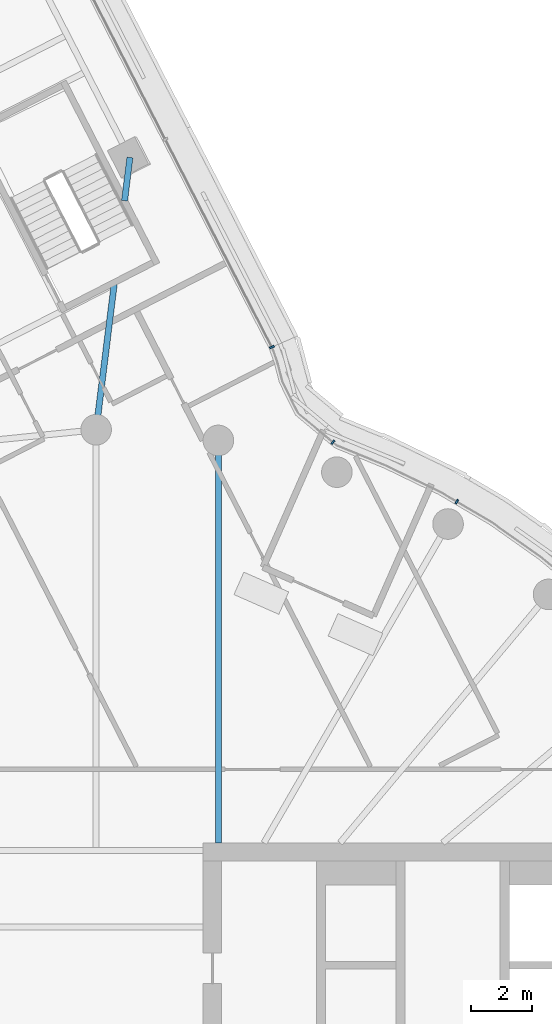
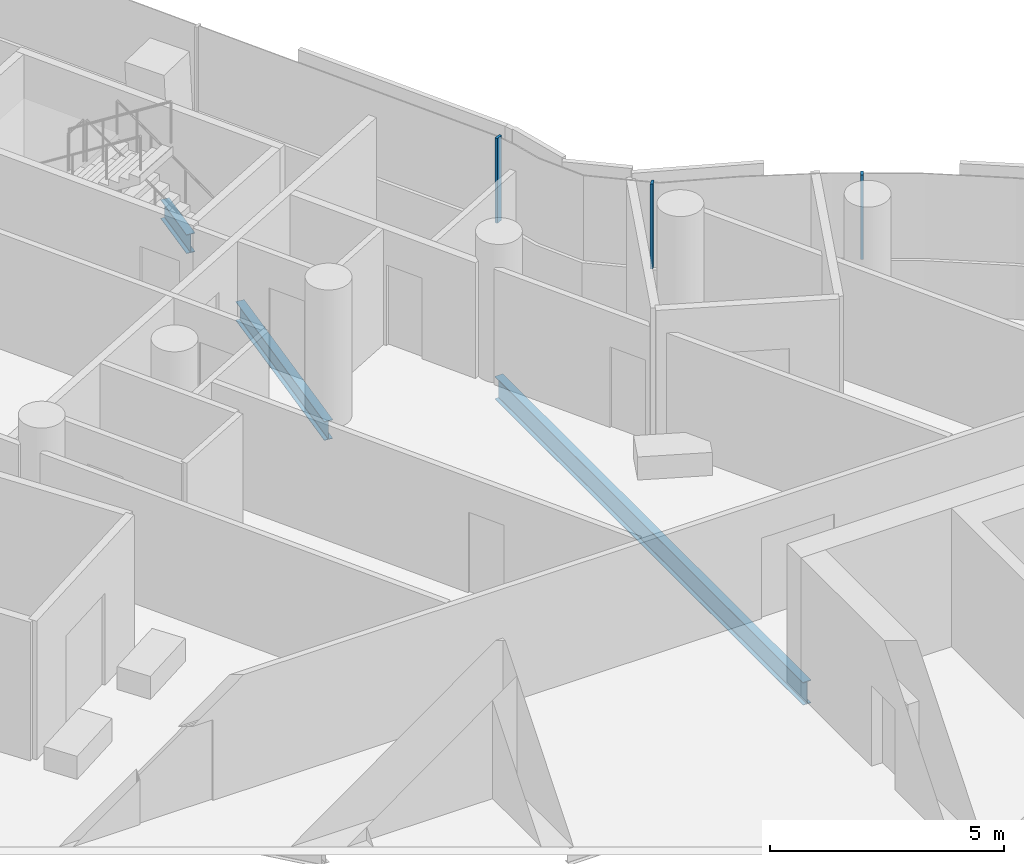
# One storey, part 16 of 37: 3 beams, 3 members, 2 elements without a shape of their own.
"""IFC4 building model written with IfcOpenShell, lengths in metres."""

from ifc_helpers import new_model, si_unit, direction, frame, origin, origin_2d, place, context, subcontext, project, spatial, rectangle, i_section, extrude, material, layer, layer_set, material_profile, profile_set, type_object, element, aggregate, save


model = new_model("IFC4")

# Units and contexts
model_context = context("Model", 3, precision=1e-05, world=origin(), true_north=direction((0.0, 1.0)))
body_context = subcontext(model_context, "Body", "Model", "MODEL_VIEW")
ifc_project = project(units=[si_unit("LENGTHUNIT", "METRE"), si_unit("AREAUNIT", "SQUARE_METRE"), si_unit("VOLUMEUNIT", "CUBIC_METRE"), si_unit("PLANEANGLEUNIT", "RADIAN"), si_unit("MASSUNIT", "GRAM", prefix="KILO")], contexts=[model_context])

# Site, building, storey
site_placement = place(None, origin())
site = spatial("IfcSite", under=ifc_project, at=site_placement, CompositionType="ELEMENT")
building_placement = place(site_placement, origin())
building = spatial("IfcBuilding", under=site, at=building_placement, Name="Tamarind Cross Interchange Tower", CompositionType="ELEMENT")
storey_placement = place(building_placement, frame((0.0, 0.0, 133.0)))
storey = spatial("IfcBuildingStorey", under=building, at=storey_placement, Name="L32", CompositionType="ELEMENT", Elevation=133.0)

# Beams
ifc_material_1 = material(Name="Steel Q355B", Category="steel")
ifc_material_profile_1 = material_profile(ifc_material_1, i_section(OverallWidth=0.198974609375, OverallDepth=0.49609375, WebThickness=0.009033203125, FlangeThickness=0.013916015625, FilletRadius=0.012939453125, at=origin_2d()), Name="HN 496x199x9x14")
ifc_profile_set_1 = profile_set([ifc_material_profile_1], Name="Steel Q355B")
beam_type_1 = type_object("IfcBeamType", Name="Composite beam HN 496x199x9x14 Q355B", PredefinedType="BEAM", material=ifc_profile_set_1)
beam_1_placement = place(storey_placement, frame((1.10400390625, 31.8955078125, -0.387939453125), z_axis=(-0.123104888893, -0.992393664999, 0.0), x_axis=(0.992393664999, -0.123104888893, 0.0)))
element("IfcBeam", 1, at=beam_1_placement, inside=storey, type_object=beam_type_1, Name="Beam N-linkemt0", PredefinedType="BEAM", context=body_context, shape_type="SweptSolid", body=[
    extrude(i_section(OverallWidth=0.198974609375, OverallDepth=0.49609375, WebThickness=0.009033203125, FlangeThickness=0.013916015625, FilletRadius=0.012939453125, at=origin_2d()), origin(), (0.0, 0.0, 1.0), 1.421875),
])
beam_2_placement = place(storey_placement, frame((0.597412109375, 27.81396484375, -0.387939453125), z_axis=(-0.123155089606, -0.99238743639, 0.0), x_axis=(0.99238743639, -0.123155089606, 0.0)))
element("IfcBeam", 2, at=beam_2_placement, inside=storey, type_object=beam_type_1, Name="Beam N-linkemt1", PredefinedType="BEAM", context=body_context, shape_type="SweptSolid", body=[
    extrude(i_section(OverallWidth=0.198974609375, OverallDepth=0.49609375, WebThickness=0.009033203125, FlangeThickness=0.013916015625, FilletRadius=0.012939453125, at=origin_2d()), origin(), (0.0, 0.0, 1.0), 4.850830078125),
])
ifc_material_profile_2 = material_profile(ifc_material_1, i_section(OverallWidth=0.198974609375, OverallDepth=0.595947265625, WebThickness=0.010009765625, FlangeThickness=0.014892578125, FilletRadius=0.012939453125, at=origin_2d()), Name="HN 596x199x10x15")
ifc_profile_set_2 = profile_set([ifc_material_profile_2], Name="Steel Q355B")
beam_type_2 = type_object("IfcBeamType", Name="Composite beam HN 596x199x10x15 Q355B", PredefinedType="BEAM", material=ifc_profile_set_2)
beam_3_placement = place(storey_placement, frame((3.993896484375, 22.650634765625, -0.43798828125), z_axis=(0.0, -1.0, 0.0), x_axis=(1.0, 0.0, 0.0)))
element("IfcBeam", 3, at=beam_3_placement, inside=storey, type_object=beam_type_2, Name="Beam HH08", PredefinedType="BEAM", context=body_context, shape_type="SweptSolid", body=[
    extrude(i_section(OverallWidth=0.198974609375, OverallDepth=0.595947265625, WebThickness=0.010009765625, FlangeThickness=0.014892578125, FilletRadius=0.012939453125, at=origin_2d()), origin(), (0.0, 0.0, 1.0), 13.150634765625),
])

# Curtain wall, member
ifc_material_2 = material(Name="Aluminium 6063-T6", Category="aluminium")
ifc_layer_1 = layer(ifc_material_2, 0.159912109375)
ifc_layer_set_1 = layer_set([ifc_layer_1], Name="Aluminium 6063-T6")
curtain_wall_type_1 = type_object("IfcCurtainWallType", Name="Office curtain wall, 9.0 m bays", PredefinedType="NOTDEFINED", material=ifc_layer_set_1)
curtain_wall_1_placement = place(storey_placement, origin())
curtain_wall_1 = element("IfcCurtainWall", 4, at=curtain_wall_1_placement, inside=storey, type_object=curtain_wall_type_1, Name="CWS-L32-11", PredefinedType="NOTDEFINED")
ifc_material_profile_3 = material_profile(ifc_material_2, rectangle(XDim=0.06005859375, YDim=0.159912109375, at=origin_2d()), Name="Mullion CW1")
ifc_profile_set_3 = profile_set([ifc_material_profile_3], Name="Aluminium 6063-T6")
member_type_1 = type_object("IfcMemberType", Name="Mullion CW1", PredefinedType="MULLION", material=ifc_profile_set_3)
member_1_placement = place(storey_placement, frame((5.743408203125, 25.701904296875, 1.39990234375), z_axis=(0.0, 0.0, 1.0), x_axis=(-0.397384941414, 0.9176520083, 0.0)))
member_1 = element("IfcMember", 5, at=member_1_placement, type_object=member_type_1, Name="CWM-L32-11-00", PredefinedType="MULLION", context=body_context, shape_type="SweptSolid", body=[
    extrude(rectangle(XDim=0.06005859375, YDim=0.159912109375, at=origin_2d()), origin(), (0.0, 0.0, 1.0), 2.210205078125),
])
aggregate(curtain_wall_1, [member_1])

# Curtain wall, members
ifc_layer_2 = layer(ifc_material_2, 0.14990234375)
ifc_layer_set_2 = layer_set([ifc_layer_2], Name="Aluminium 6063-T6")
curtain_wall_type_2 = type_object("IfcCurtainWallType", Name="Winter garden and crown curtain wall", PredefinedType="NOTDEFINED", material=ifc_layer_set_2)
curtain_wall_2_placement = place(storey_placement, origin())
curtain_wall_2 = element("IfcCurtainWall", 6, at=curtain_wall_2_placement, inside=storey, type_object=curtain_wall_type_2, Name="CWS-L32-10", PredefinedType="NOTDEFINED")
ifc_material_profile_4 = material_profile(ifc_material_2, rectangle(XDim=0.06005859375, YDim=0.14990234375, at=origin_2d()), Name="Mullion CW6")
ifc_profile_set_4 = profile_set([ifc_material_profile_4], Name="Aluminium 6063-T6")
member_type_2 = type_object("IfcMemberType", Name="Mullion CW6", PredefinedType="MULLION", material=ifc_profile_set_4)
member_2_placement = place(storey_placement, frame((11.784423828125, 20.65234375, 1.39990234375), z_axis=(0.0, 0.0, 1.0), x_axis=(-0.861248933065, 0.508183308752, 0.0)))
member_2 = element("IfcMember", 7, at=member_2_placement, type_object=member_type_2, Name="CWM-L32-10-03", PredefinedType="MULLION", context=body_context, shape_type="SweptSolid", body=[
    extrude(rectangle(XDim=0.06005859375, YDim=0.14990234375, at=origin_2d()), origin(), (0.0, 0.0, 1.0), 2.210205078125),
])
member_3_placement = place(storey_placement, frame((7.736572265625, 22.592041015625, 1.39990234375), z_axis=(0.0, 0.0, 1.0), x_axis=(-0.768852599928, 0.639426054821, 0.0)))
member_3 = element("IfcMember", 8, at=member_3_placement, type_object=member_type_2, Name="CWM-L32-10-04", PredefinedType="MULLION", context=body_context, shape_type="SweptSolid", body=[
    extrude(rectangle(XDim=0.06005859375, YDim=0.14990234375, at=origin_2d()), origin(), (0.0, 0.0, 1.0), 2.210205078125),
])
aggregate(curtain_wall_2, [member_2, member_3])

save(model, "model.ifc")
